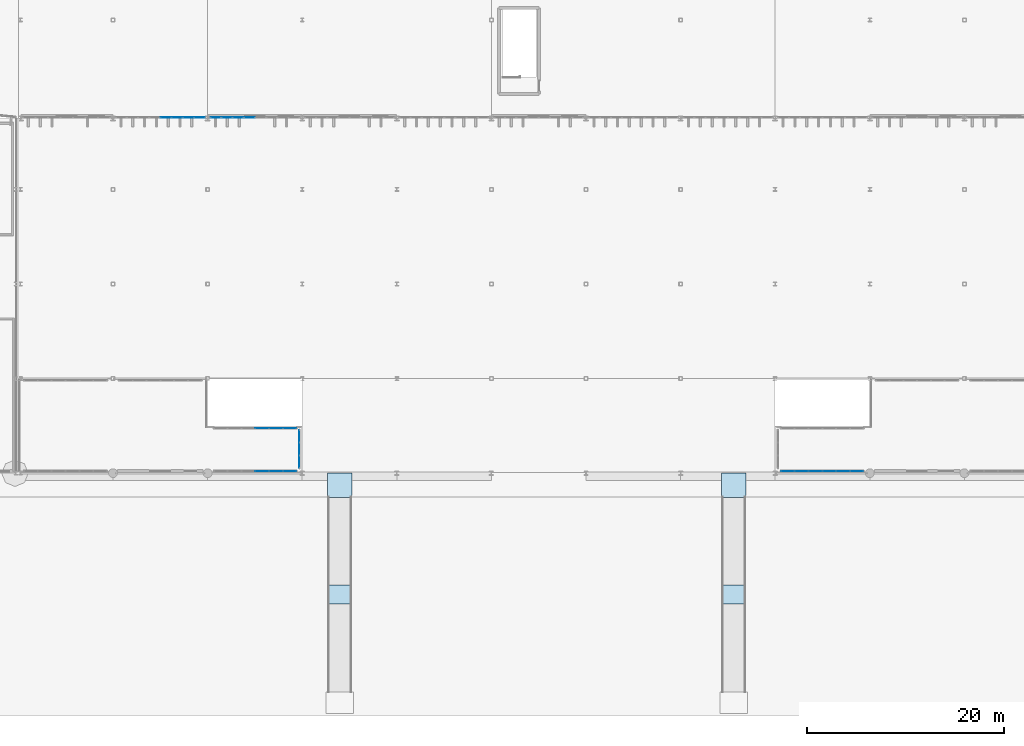
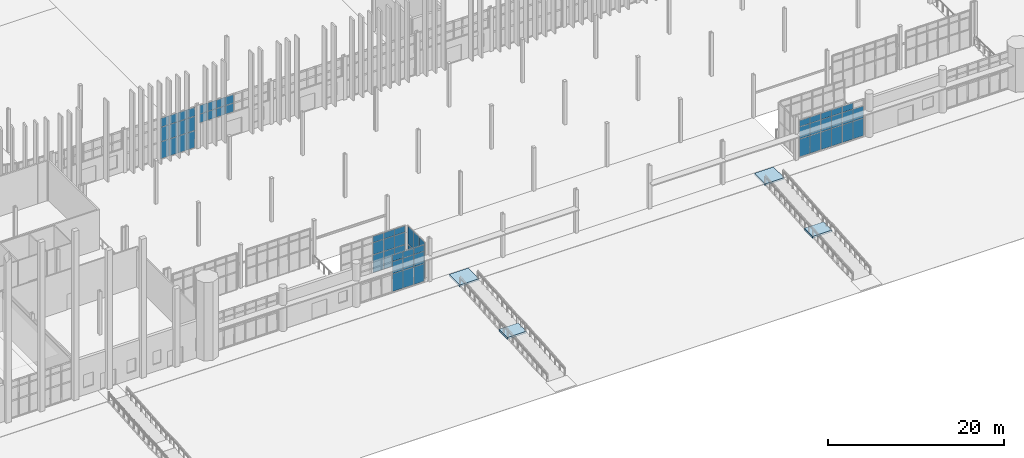
# One storey, part 71 of 139: 61 plates, 4 slabs, 8 elements without a shape of their own.
"""IFC4 building model written with IfcOpenShell, lengths in metres."""

from ifc_helpers import new_model, si_unit, direction, frame, origin, origin_2d, place, context, subcontext, project, spatial, polyline, rectangle, outline, extrude, material, layer, layer_set, type_object, element, aggregate, save


model = new_model("IFC4")

# Units and contexts
model_context = context("Model", 3, precision=1e-05, world=origin(), true_north=direction((0.0, 1.0)))
body_context = subcontext(model_context, "Body", "Model", "MODEL_VIEW")
ifc_project = project(units=[si_unit("LENGTHUNIT", "METRE"), si_unit("AREAUNIT", "SQUARE_METRE"), si_unit("VOLUMEUNIT", "CUBIC_METRE"), si_unit("PLANEANGLEUNIT", "RADIAN"), si_unit("MASSUNIT", "GRAM", prefix="KILO")], contexts=[model_context])

# Site, building, storey
site_placement = place(None, origin())
site = spatial("IfcSite", under=ifc_project, at=site_placement, CompositionType="ELEMENT")
building_placement = place(site_placement, origin())
building = spatial("IfcBuilding", under=site, at=building_placement, Name="Yeouljin Market Hall", CompositionType="ELEMENT")
storey_placement = place(building_placement, origin())
storey = spatial("IfcBuildingStorey", under=building, at=storey_placement, Name="L00", CompositionType="ELEMENT", Elevation=0.0)

# Curtain wall, plates
ifc_material_1 = material(Name="Thermally Broken Aluminium", Category="aluminium")
ifc_layer_1 = layer(ifc_material_1, 0.179931640625)
ifc_layer_set_1 = layer_set([ifc_layer_1], Name="Thermally Broken Aluminium")
curtain_wall_type_1 = type_object("IfcCurtainWallType", Name="CW_HallNave_System", PredefinedType="USERDEFINED", material=ifc_layer_set_1)
curtain_wall_1_placement = place(storey_placement, origin())
curtain_wall_1 = element("IfcCurtainWall", 1, at=curtain_wall_1_placement, inside=storey, type_object=curtain_wall_type_1, Name="Curtain wall CW-V1S-L00-03", ObjectType="CURTAIN WALL", PredefinedType="USERDEFINED")
ifc_material_2 = material(Name="Low-E Insulated Glass", Category="glass")
ifc_layer_2 = layer(ifc_material_2, 0.028076171875)
ifc_layer_set_2 = layer_set([ifc_layer_2], Name="Low-E Insulated Glass")
plate_type_1 = type_object("IfcPlateType", Name="CWPanel_LowE_28", PredefinedType="CURTAIN_PANEL", material=ifc_layer_set_2)
plate_1_placement = place(storey_placement, frame((58.831298828125, 36.10009765625, 3.248046875), z_axis=(0.0, 0.0, 1.0), x_axis=(-1.0, 0.0, 0.0)))
plate_1 = element("IfcPlate", 2, at=plate_1_placement, type_object=plate_type_1, Name="CW-01 panel 5.1", PredefinedType="CURTAIN_PANEL", context=body_context, shape_type="SweptSolid", body=[
    extrude(rectangle(XDim=1.089599609375, YDim=0.028076171875, at=origin_2d()), origin(), (0.0, 0.0, 1.0), 1.177978515625),
])
plate_2_placement = place(storey_placement, frame((58.831298828125, 36.10009765625, 4.47412109375), z_axis=(0.0, 0.0, 1.0), x_axis=(-1.0, 0.0, 0.0)))
plate_2 = element("IfcPlate", 3, at=plate_2_placement, type_object=plate_type_1, Name="CW-01 panel 5.2", PredefinedType="CURTAIN_PANEL", context=body_context, shape_type="SweptSolid", body=[
    extrude(rectangle(XDim=1.089599609375, YDim=0.028076171875, at=origin_2d()), origin(), (0.0, 0.0, 1.0), 1.157958984375),
])
plate_3_placement = place(storey_placement, frame((57.69384765625, 36.10009765625, 3.248046875), z_axis=(0.0, 0.0, 1.0), x_axis=(-1.0, 0.0, 0.0)))
plate_3 = element("IfcPlate", 4, at=plate_3_placement, type_object=plate_type_1, Name="CW-01 panel 6.1", PredefinedType="CURTAIN_PANEL", context=body_context, shape_type="SweptSolid", body=[
    extrude(rectangle(XDim=1.089599609375, YDim=0.028076171875, at=origin_2d()), origin(), (0.0, 0.0, 1.0), 1.177978515625),
])
plate_4_placement = place(storey_placement, frame((57.69384765625, 36.10009765625, 4.47412109375), z_axis=(0.0, 0.0, 1.0), x_axis=(-1.0, 0.0, 0.0)))
plate_4 = element("IfcPlate", 5, at=plate_4_placement, type_object=plate_type_1, Name="CW-01 panel 6.2", PredefinedType="CURTAIN_PANEL", context=body_context, shape_type="SweptSolid", body=[
    extrude(rectangle(XDim=1.089599609375, YDim=0.028076171875, at=origin_2d()), origin(), (0.0, 0.0, 1.0), 1.157958984375),
])
plate_5_placement = place(storey_placement, frame((56.55615234375, 36.10009765625, 3.248046875), z_axis=(0.0, 0.0, 1.0), x_axis=(-1.0, 0.0, 0.0)))
plate_5 = element("IfcPlate", 6, at=plate_5_placement, type_object=plate_type_1, Name="CW-01 panel 7.1", PredefinedType="CURTAIN_PANEL", context=body_context, shape_type="SweptSolid", body=[
    extrude(rectangle(XDim=1.089599609375, YDim=0.028076171875, at=origin_2d()), origin(), (0.0, 0.0, 1.0), 1.177978515625),
])
plate_6_placement = place(storey_placement, frame((56.55615234375, 36.10009765625, 4.47412109375), z_axis=(0.0, 0.0, 1.0), x_axis=(-1.0, 0.0, 0.0)))
plate_6 = element("IfcPlate", 7, at=plate_6_placement, type_object=plate_type_1, Name="CW-01 panel 7.2", PredefinedType="CURTAIN_PANEL", context=body_context, shape_type="SweptSolid", body=[
    extrude(rectangle(XDim=1.089599609375, YDim=0.028076171875, at=origin_2d()), origin(), (0.0, 0.0, 1.0), 1.157958984375),
])
plate_7_placement = place(storey_placement, frame((55.4306640625, 36.10009765625, 3.248046875), z_axis=(0.0, 0.0, 1.0), x_axis=(-1.0, 0.0, 0.0)))
plate_7 = element("IfcPlate", 8, at=plate_7_placement, type_object=plate_type_1, Name="CW-01 panel 8.1", PredefinedType="CURTAIN_PANEL", context=body_context, shape_type="SweptSolid", body=[
    extrude(rectangle(XDim=1.0654296875, YDim=0.028076171875, at=origin_2d()), origin(), (0.0, 0.0, 1.0), 1.177978515625),
])
plate_8_placement = place(storey_placement, frame((55.4306640625, 36.10009765625, 4.47412109375), z_axis=(0.0, 0.0, 1.0), x_axis=(-1.0, 0.0, 0.0)))
plate_8 = element("IfcPlate", 9, at=plate_8_placement, type_object=plate_type_1, Name="CW-01 panel 8.2", PredefinedType="CURTAIN_PANEL", context=body_context, shape_type="SweptSolid", body=[
    extrude(rectangle(XDim=1.0654296875, YDim=0.028076171875, at=origin_2d()), origin(), (0.0, 0.0, 1.0), 1.157958984375),
])
aggregate(curtain_wall_1, [plate_1, plate_2, plate_3, plate_4, plate_5, plate_6, plate_7, plate_8])

ifc_material_3 = material(Name="Thermally Broken Aluminium", Category="aluminium")
ifc_layer_3 = layer(ifc_material_3, 0.14990234375)
ifc_layer_set_3 = layer_set([ifc_layer_3], Name="Thermally Broken Aluminium")
curtain_wall_type_2 = type_object("IfcCurtainWallType", Name="CW_ColonnadeScreen_System", PredefinedType="USERDEFINED", material=ifc_layer_set_3)
curtain_wall_2_placement = place(storey_placement, origin())
curtain_wall_2 = element("IfcCurtainWall", 10, at=curtain_wall_2_placement, inside=storey, type_object=curtain_wall_type_2, Name="Curtain wall CW-V5S-L00-3", ObjectType="CURTAIN WALL", PredefinedType="USERDEFINED")
plate_9_placement = place(storey_placement, frame((62.933837890625, 0.199951171875, 0.0478515625), z_axis=(0.0, 0.0, 1.0), x_axis=(-1.0, 0.0, 0.0)))
plate_9 = element("IfcPlate", 11, at=plate_9_placement, type_object=plate_type_1, Name="CW-06 panel 1.1", PredefinedType="CURTAIN_PANEL", context=body_context, shape_type="SweptSolid", body=[
    extrude(rectangle(XDim=1.33642578125, YDim=0.028076171875, at=origin_2d()), origin(), (0.0, 0.0, 1.0), 2.427978515625),
])
plate_10_placement = place(storey_placement, frame((62.933837890625, 0.199951171875, 2.52392578125), z_axis=(0.0, 0.0, 1.0), x_axis=(-1.0, 0.0, 0.0)))
plate_10 = element("IfcPlate", 12, at=plate_10_placement, type_object=plate_type_1, Name="CW-06 panel 1.2", PredefinedType="CURTAIN_PANEL", context=body_context, shape_type="SweptSolid", body=[
    extrude(rectangle(XDim=1.33642578125, YDim=0.028076171875, at=origin_2d()), origin(), (0.0, 0.0, 1.0), 1.652099609375),
])
plate_11_placement = place(storey_placement, frame((62.933837890625, 0.199951171875, 4.22412109375), z_axis=(0.0, 0.0, 1.0), x_axis=(-1.0, 0.0, 0.0)))
plate_11 = element("IfcPlate", 13, at=plate_11_placement, type_object=plate_type_1, Name="CW-06 panel 1.3", PredefinedType="CURTAIN_PANEL", context=body_context, shape_type="SweptSolid", body=[
    extrude(rectangle(XDim=1.33642578125, YDim=0.028076171875, at=origin_2d()), origin(), (0.0, 0.0, 1.0), 0.847900390625),
])
plate_12_placement = place(storey_placement, frame((61.53759765625, 0.199951171875, 0.0478515625), z_axis=(0.0, 0.0, 1.0), x_axis=(-1.0, 0.0, 0.0)))
plate_12 = element("IfcPlate", 14, at=plate_12_placement, type_object=plate_type_1, Name="CW-06 panel 2.1", PredefinedType="CURTAIN_PANEL", context=body_context, shape_type="SweptSolid", body=[
    extrude(rectangle(XDim=1.3603515625, YDim=0.028076171875, at=origin_2d()), origin(), (0.0, 0.0, 1.0), 2.427978515625),
])
plate_13_placement = place(storey_placement, frame((61.53759765625, 0.199951171875, 2.52392578125), z_axis=(0.0, 0.0, 1.0), x_axis=(-1.0, 0.0, 0.0)))
plate_13 = element("IfcPlate", 15, at=plate_13_placement, type_object=plate_type_1, Name="CW-06 panel 2.2", PredefinedType="CURTAIN_PANEL", context=body_context, shape_type="SweptSolid", body=[
    extrude(rectangle(XDim=1.3603515625, YDim=0.028076171875, at=origin_2d()), origin(), (0.0, 0.0, 1.0), 1.652099609375),
])
plate_14_placement = place(storey_placement, frame((61.53759765625, 0.199951171875, 4.22412109375), z_axis=(0.0, 0.0, 1.0), x_axis=(-1.0, 0.0, 0.0)))
plate_14 = element("IfcPlate", 16, at=plate_14_placement, type_object=plate_type_1, Name="CW-06 panel 2.3", PredefinedType="CURTAIN_PANEL", context=body_context, shape_type="SweptSolid", body=[
    extrude(rectangle(XDim=1.3603515625, YDim=0.028076171875, at=origin_2d()), origin(), (0.0, 0.0, 1.0), 0.847900390625),
])
plate_15_placement = place(storey_placement, frame((60.129150390625, 0.199951171875, 0.0478515625), z_axis=(0.0, 0.0, 1.0), x_axis=(-1.0, 0.0, 0.0)))
plate_15 = element("IfcPlate", 17, at=plate_15_placement, type_object=plate_type_1, Name="CW-06 panel 3.1", PredefinedType="CURTAIN_PANEL", context=body_context, shape_type="SweptSolid", body=[
    extrude(rectangle(XDim=1.3603515625, YDim=0.028076171875, at=origin_2d()), origin(), (0.0, 0.0, 1.0), 2.427978515625),
])
plate_16_placement = place(storey_placement, frame((60.129150390625, 0.199951171875, 2.52392578125), z_axis=(0.0, 0.0, 1.0), x_axis=(-1.0, 0.0, 0.0)))
plate_16 = element("IfcPlate", 18, at=plate_16_placement, type_object=plate_type_1, Name="CW-06 panel 3.2", PredefinedType="CURTAIN_PANEL", context=body_context, shape_type="SweptSolid", body=[
    extrude(rectangle(XDim=1.3603515625, YDim=0.028076171875, at=origin_2d()), origin(), (0.0, 0.0, 1.0), 1.652099609375),
])
plate_17_placement = place(storey_placement, frame((60.129150390625, 0.199951171875, 4.22412109375), z_axis=(0.0, 0.0, 1.0), x_axis=(-1.0, 0.0, 0.0)))
plate_17 = element("IfcPlate", 19, at=plate_17_placement, type_object=plate_type_1, Name="CW-06 panel 3.3", PredefinedType="CURTAIN_PANEL", context=body_context, shape_type="SweptSolid", body=[
    extrude(rectangle(XDim=1.3603515625, YDim=0.028076171875, at=origin_2d()), origin(), (0.0, 0.0, 1.0), 0.847900390625),
])
aggregate(curtain_wall_2, [plate_9, plate_10, plate_11, plate_12, plate_13, plate_14, plate_15, plate_16, plate_17])

curtain_wall_3_placement = place(storey_placement, origin())
curtain_wall_3 = element("IfcCurtainWall", 20, at=curtain_wall_3_placement, inside=storey, type_object=curtain_wall_type_2, Name="Curtain wall CW-V5N-L00-3", ObjectType="CURTAIN WALL", PredefinedType="USERDEFINED")
plate_18_placement = place(storey_placement, frame((60.129150390625, 4.550048828125, 0.0478515625), z_axis=(0.0, 0.0, 1.0), x_axis=(1.0, 0.0, 0.0)))
plate_18 = element("IfcPlate", 21, at=plate_18_placement, type_object=plate_type_1, Name="CW-06 panel 4.1", PredefinedType="CURTAIN_PANEL", context=body_context, shape_type="SweptSolid", body=[
    extrude(rectangle(XDim=1.3603515625, YDim=0.028076171875, at=origin_2d()), origin(), (0.0, 0.0, 1.0), 2.427978515625),
])
plate_19_placement = place(storey_placement, frame((60.129150390625, 4.550048828125, 2.52392578125), z_axis=(0.0, 0.0, 1.0), x_axis=(1.0, 0.0, 0.0)))
plate_19 = element("IfcPlate", 22, at=plate_19_placement, type_object=plate_type_1, Name="CW-06 panel 4.2", PredefinedType="CURTAIN_PANEL", context=body_context, shape_type="SweptSolid", body=[
    extrude(rectangle(XDim=1.3603515625, YDim=0.028076171875, at=origin_2d()), origin(), (0.0, 0.0, 1.0), 1.652099609375),
])
plate_20_placement = place(storey_placement, frame((60.129150390625, 4.550048828125, 4.22412109375), z_axis=(0.0, 0.0, 1.0), x_axis=(1.0, 0.0, 0.0)))
plate_20 = element("IfcPlate", 23, at=plate_20_placement, type_object=plate_type_1, Name="CW-06 panel 4.3", PredefinedType="CURTAIN_PANEL", context=body_context, shape_type="SweptSolid", body=[
    extrude(rectangle(XDim=1.3603515625, YDim=0.028076171875, at=origin_2d()), origin(), (0.0, 0.0, 1.0), 0.847900390625),
])
plate_21_placement = place(storey_placement, frame((61.53759765625, 4.550048828125, 0.0478515625), z_axis=(0.0, 0.0, 1.0), x_axis=(1.0, 0.0, 0.0)))
plate_21 = element("IfcPlate", 24, at=plate_21_placement, type_object=plate_type_1, Name="CW-06 panel 5.1", PredefinedType="CURTAIN_PANEL", context=body_context, shape_type="SweptSolid", body=[
    extrude(rectangle(XDim=1.3603515625, YDim=0.028076171875, at=origin_2d()), origin(), (0.0, 0.0, 1.0), 2.427978515625),
])
plate_22_placement = place(storey_placement, frame((61.53759765625, 4.550048828125, 2.52392578125), z_axis=(0.0, 0.0, 1.0), x_axis=(1.0, 0.0, 0.0)))
plate_22 = element("IfcPlate", 25, at=plate_22_placement, type_object=plate_type_1, Name="CW-06 panel 5.2", PredefinedType="CURTAIN_PANEL", context=body_context, shape_type="SweptSolid", body=[
    extrude(rectangle(XDim=1.3603515625, YDim=0.028076171875, at=origin_2d()), origin(), (0.0, 0.0, 1.0), 1.652099609375),
])
plate_23_placement = place(storey_placement, frame((61.53759765625, 4.550048828125, 4.22412109375), z_axis=(0.0, 0.0, 1.0), x_axis=(1.0, 0.0, 0.0)))
plate_23 = element("IfcPlate", 26, at=plate_23_placement, type_object=plate_type_1, Name="CW-06 panel 5.3", PredefinedType="CURTAIN_PANEL", context=body_context, shape_type="SweptSolid", body=[
    extrude(rectangle(XDim=1.3603515625, YDim=0.028076171875, at=origin_2d()), origin(), (0.0, 0.0, 1.0), 0.847900390625),
])
plate_24_placement = place(storey_placement, frame((62.933837890625, 4.550048828125, 0.0478515625), z_axis=(0.0, 0.0, 1.0), x_axis=(1.0, 0.0, 0.0)))
plate_24 = element("IfcPlate", 27, at=plate_24_placement, type_object=plate_type_1, Name="CW-06 panel 6.1", PredefinedType="CURTAIN_PANEL", context=body_context, shape_type="SweptSolid", body=[
    extrude(rectangle(XDim=1.33642578125, YDim=0.028076171875, at=origin_2d()), origin(), (0.0, 0.0, 1.0), 2.427978515625),
])
plate_25_placement = place(storey_placement, frame((62.933837890625, 4.550048828125, 2.52392578125), z_axis=(0.0, 0.0, 1.0), x_axis=(1.0, 0.0, 0.0)))
plate_25 = element("IfcPlate", 28, at=plate_25_placement, type_object=plate_type_1, Name="CW-06 panel 6.2", PredefinedType="CURTAIN_PANEL", context=body_context, shape_type="SweptSolid", body=[
    extrude(rectangle(XDim=1.33642578125, YDim=0.028076171875, at=origin_2d()), origin(), (0.0, 0.0, 1.0), 1.652099609375),
])
plate_26_placement = place(storey_placement, frame((62.933837890625, 4.550048828125, 4.22412109375), z_axis=(0.0, 0.0, 1.0), x_axis=(1.0, 0.0, 0.0)))
plate_26 = element("IfcPlate", 29, at=plate_26_placement, type_object=plate_type_1, Name="CW-06 panel 6.3", PredefinedType="CURTAIN_PANEL", context=body_context, shape_type="SweptSolid", body=[
    extrude(rectangle(XDim=1.33642578125, YDim=0.028076171875, at=origin_2d()), origin(), (0.0, 0.0, 1.0), 0.847900390625),
])
aggregate(curtain_wall_3, [plate_18, plate_19, plate_20, plate_21, plate_22, plate_23, plate_24, plate_25, plate_26])

curtain_wall_4_placement = place(storey_placement, origin())
curtain_wall_4 = element("IfcCurtainWall", 30, at=curtain_wall_4_placement, inside=storey, type_object=curtain_wall_type_2, Name="Curtain wall CW-V5S-L00-4", ObjectType="CURTAIN WALL", PredefinedType="USERDEFINED")
plate_27_placement = place(storey_placement, frame((120.48388671875, 0.199951171875, 0.0478515625), z_axis=(0.0, 0.0, 1.0), x_axis=(-1.0, 0.0, 0.0)))
plate_27 = element("IfcPlate", 31, at=plate_27_placement, type_object=plate_type_1, Name="CW-06 panel 1.1", PredefinedType="CURTAIN_PANEL", context=body_context, shape_type="SweptSolid", body=[
    extrude(rectangle(XDim=1.33642578125, YDim=0.028076171875, at=origin_2d()), origin(), (0.0, 0.0, 1.0), 2.427978515625),
])
plate_28_placement = place(storey_placement, frame((120.48388671875, 0.199951171875, 2.52392578125), z_axis=(0.0, 0.0, 1.0), x_axis=(-1.0, 0.0, 0.0)))
plate_28 = element("IfcPlate", 32, at=plate_28_placement, type_object=plate_type_1, Name="CW-06 panel 1.2", PredefinedType="CURTAIN_PANEL", context=body_context, shape_type="SweptSolid", body=[
    extrude(rectangle(XDim=1.33642578125, YDim=0.028076171875, at=origin_2d()), origin(), (0.0, 0.0, 1.0), 1.652099609375),
])
plate_29_placement = place(storey_placement, frame((119.08740234375, 0.199951171875, 0.0478515625), z_axis=(0.0, 0.0, 1.0), x_axis=(-1.0, 0.0, 0.0)))
plate_29 = element("IfcPlate", 33, at=plate_29_placement, type_object=plate_type_1, Name="CW-06 panel 2.1", PredefinedType="CURTAIN_PANEL", context=body_context, shape_type="SweptSolid", body=[
    extrude(rectangle(XDim=1.3603515625, YDim=0.028076171875, at=origin_2d()), origin(), (0.0, 0.0, 1.0), 2.427978515625),
])
plate_30_placement = place(storey_placement, frame((119.08740234375, 0.199951171875, 2.52392578125), z_axis=(0.0, 0.0, 1.0), x_axis=(-1.0, 0.0, 0.0)))
plate_30 = element("IfcPlate", 34, at=plate_30_placement, type_object=plate_type_1, Name="CW-06 panel 2.2", PredefinedType="CURTAIN_PANEL", context=body_context, shape_type="SweptSolid", body=[
    extrude(rectangle(XDim=1.3603515625, YDim=0.028076171875, at=origin_2d()), origin(), (0.0, 0.0, 1.0), 1.652099609375),
])
plate_31_placement = place(storey_placement, frame((119.08740234375, 0.199951171875, 4.22412109375), z_axis=(0.0, 0.0, 1.0), x_axis=(-1.0, 0.0, 0.0)))
plate_31 = element("IfcPlate", 35, at=plate_31_placement, type_object=plate_type_1, Name="CW-06 panel 2.3", PredefinedType="CURTAIN_PANEL", context=body_context, shape_type="SweptSolid", body=[
    extrude(rectangle(XDim=1.3603515625, YDim=0.028076171875, at=origin_2d()), origin(), (0.0, 0.0, 1.0), 0.847900390625),
])
plate_32_placement = place(storey_placement, frame((117.67919921875, 0.199951171875, 0.0478515625), z_axis=(0.0, 0.0, 1.0), x_axis=(-1.0, 0.0, 0.0)))
plate_32 = element("IfcPlate", 36, at=plate_32_placement, type_object=plate_type_1, Name="CW-06 panel 3.1", PredefinedType="CURTAIN_PANEL", context=body_context, shape_type="SweptSolid", body=[
    extrude(rectangle(XDim=1.3603515625, YDim=0.028076171875, at=origin_2d()), origin(), (0.0, 0.0, 1.0), 2.427978515625),
])
plate_33_placement = place(storey_placement, frame((117.67919921875, 0.199951171875, 2.52392578125), z_axis=(0.0, 0.0, 1.0), x_axis=(-1.0, 0.0, 0.0)))
plate_33 = element("IfcPlate", 37, at=plate_33_placement, type_object=plate_type_1, Name="CW-06 panel 3.2", PredefinedType="CURTAIN_PANEL", context=body_context, shape_type="SweptSolid", body=[
    extrude(rectangle(XDim=1.3603515625, YDim=0.028076171875, at=origin_2d()), origin(), (0.0, 0.0, 1.0), 1.652099609375),
])
plate_34_placement = place(storey_placement, frame((117.67919921875, 0.199951171875, 4.22412109375), z_axis=(0.0, 0.0, 1.0), x_axis=(-1.0, 0.0, 0.0)))
plate_34 = element("IfcPlate", 38, at=plate_34_placement, type_object=plate_type_1, Name="CW-06 panel 3.3", PredefinedType="CURTAIN_PANEL", context=body_context, shape_type="SweptSolid", body=[
    extrude(rectangle(XDim=1.3603515625, YDim=0.028076171875, at=origin_2d()), origin(), (0.0, 0.0, 1.0), 0.847900390625),
])
plate_35_placement = place(storey_placement, frame((116.270751953125, 0.199951171875, 0.0478515625), z_axis=(0.0, 0.0, 1.0), x_axis=(-1.0, 0.0, 0.0)))
plate_35 = element("IfcPlate", 39, at=plate_35_placement, type_object=plate_type_1, Name="CW-06 panel 4.1", PredefinedType="CURTAIN_PANEL", context=body_context, shape_type="SweptSolid", body=[
    extrude(rectangle(XDim=1.3603515625, YDim=0.028076171875, at=origin_2d()), origin(), (0.0, 0.0, 1.0), 2.427978515625),
])
plate_36_placement = place(storey_placement, frame((116.270751953125, 0.199951171875, 2.52392578125), z_axis=(0.0, 0.0, 1.0), x_axis=(-1.0, 0.0, 0.0)))
plate_36 = element("IfcPlate", 40, at=plate_36_placement, type_object=plate_type_1, Name="CW-06 panel 4.2", PredefinedType="CURTAIN_PANEL", context=body_context, shape_type="SweptSolid", body=[
    extrude(rectangle(XDim=1.3603515625, YDim=0.028076171875, at=origin_2d()), origin(), (0.0, 0.0, 1.0), 1.652099609375),
])
plate_37_placement = place(storey_placement, frame((116.270751953125, 0.199951171875, 4.22412109375), z_axis=(0.0, 0.0, 1.0), x_axis=(-1.0, 0.0, 0.0)))
plate_37 = element("IfcPlate", 41, at=plate_37_placement, type_object=plate_type_1, Name="CW-06 panel 4.3", PredefinedType="CURTAIN_PANEL", context=body_context, shape_type="SweptSolid", body=[
    extrude(rectangle(XDim=1.3603515625, YDim=0.028076171875, at=origin_2d()), origin(), (0.0, 0.0, 1.0), 0.847900390625),
])
plate_38_placement = place(storey_placement, frame((114.862548828125, 0.199951171875, 0.0478515625), z_axis=(0.0, 0.0, 1.0), x_axis=(-1.0, 0.0, 0.0)))
plate_38 = element("IfcPlate", 42, at=plate_38_placement, type_object=plate_type_1, Name="CW-06 panel 5.1", PredefinedType="CURTAIN_PANEL", context=body_context, shape_type="SweptSolid", body=[
    extrude(rectangle(XDim=1.3603515625, YDim=0.028076171875, at=origin_2d()), origin(), (0.0, 0.0, 1.0), 2.427978515625),
])
plate_39_placement = place(storey_placement, frame((114.862548828125, 0.199951171875, 2.52392578125), z_axis=(0.0, 0.0, 1.0), x_axis=(-1.0, 0.0, 0.0)))
plate_39 = element("IfcPlate", 43, at=plate_39_placement, type_object=plate_type_1, Name="CW-06 panel 5.2", PredefinedType="CURTAIN_PANEL", context=body_context, shape_type="SweptSolid", body=[
    extrude(rectangle(XDim=1.3603515625, YDim=0.028076171875, at=origin_2d()), origin(), (0.0, 0.0, 1.0), 1.652099609375),
])
plate_40_placement = place(storey_placement, frame((114.862548828125, 0.199951171875, 4.22412109375), z_axis=(0.0, 0.0, 1.0), x_axis=(-1.0, 0.0, 0.0)))
plate_40 = element("IfcPlate", 44, at=plate_40_placement, type_object=plate_type_1, Name="CW-06 panel 5.3", PredefinedType="CURTAIN_PANEL", context=body_context, shape_type="SweptSolid", body=[
    extrude(rectangle(XDim=1.3603515625, YDim=0.028076171875, at=origin_2d()), origin(), (0.0, 0.0, 1.0), 0.847900390625),
])
plate_41_placement = place(storey_placement, frame((113.466064453125, 0.199951171875, 0.0478515625), z_axis=(0.0, 0.0, 1.0), x_axis=(-1.0, 0.0, 0.0)))
plate_41 = element("IfcPlate", 45, at=plate_41_placement, type_object=plate_type_1, Name="CW-06 panel 6.1", PredefinedType="CURTAIN_PANEL", context=body_context, shape_type="SweptSolid", body=[
    extrude(rectangle(XDim=1.33642578125, YDim=0.028076171875, at=origin_2d()), origin(), (0.0, 0.0, 1.0), 2.427978515625),
])
plate_42_placement = place(storey_placement, frame((113.466064453125, 0.199951171875, 2.52392578125), z_axis=(0.0, 0.0, 1.0), x_axis=(-1.0, 0.0, 0.0)))
plate_42 = element("IfcPlate", 46, at=plate_42_placement, type_object=plate_type_1, Name="CW-06 panel 6.2", PredefinedType="CURTAIN_PANEL", context=body_context, shape_type="SweptSolid", body=[
    extrude(rectangle(XDim=1.33642578125, YDim=0.028076171875, at=origin_2d()), origin(), (0.0, 0.0, 1.0), 1.652099609375),
])
plate_43_placement = place(storey_placement, frame((113.466064453125, 0.199951171875, 4.22412109375), z_axis=(0.0, 0.0, 1.0), x_axis=(-1.0, 0.0, 0.0)))
plate_43 = element("IfcPlate", 47, at=plate_43_placement, type_object=plate_type_1, Name="CW-06 panel 6.3", PredefinedType="CURTAIN_PANEL", context=body_context, shape_type="SweptSolid", body=[
    extrude(rectangle(XDim=1.33642578125, YDim=0.028076171875, at=origin_2d()), origin(), (0.0, 0.0, 1.0), 0.847900390625),
])
aggregate(curtain_wall_4, [plate_27, plate_28, plate_29, plate_30, plate_31, plate_32, plate_33, plate_34, plate_35, plate_36, plate_37, plate_38, plate_39, plate_40, plate_41, plate_42, plate_43])

ifc_material_4 = material(Name="Thermally Broken Aluminium", Category="aluminium")
ifc_layer_4 = layer(ifc_material_4, 0.14990234375)
ifc_layer_set_4 = layer_set([ifc_layer_4], Name="Thermally Broken Aluminium")
curtain_wall_type_3 = type_object("IfcCurtainWallType", Name="CW_WingStorefront_System", PredefinedType="USERDEFINED", material=ifc_layer_set_4)
curtain_wall_5_placement = place(storey_placement, origin())
curtain_wall_5 = element("IfcCurtainWall", 48, at=curtain_wall_5_placement, inside=storey, type_object=curtain_wall_type_3, Name="Curtain wall CW-CRT-L00-27", ObjectType="CURTAIN WALL", PredefinedType="USERDEFINED")
plate_44_placement = place(storey_placement, frame((63.89990234375, 3.738037109375, 0.0478515625), z_axis=(0.0, 0.0, 1.0), x_axis=(0.0, -1.0, 0.0)))
plate_44 = element("IfcPlate", 49, at=plate_44_placement, type_object=plate_type_1, Name="CW-04 panel 1.1", PredefinedType="CURTAIN_PANEL", context=body_context, shape_type="SweptSolid", body=[
    extrude(rectangle(XDim=1.22802734375, YDim=0.028076171875, at=origin_2d()), origin(), (0.0, 0.0, 1.0), 2.488037109375),
])
plate_45_placement = place(storey_placement, frame((63.89990234375, 3.738037109375, 2.583984375), z_axis=(0.0, 0.0, 1.0), x_axis=(0.0, -1.0, 0.0)))
plate_45 = element("IfcPlate", 50, at=plate_45_placement, type_object=plate_type_1, Name="CW-04 panel 1.2", PredefinedType="CURTAIN_PANEL", context=body_context, shape_type="SweptSolid", body=[
    extrude(rectangle(XDim=1.22802734375, YDim=0.028076171875, at=origin_2d()), origin(), (0.0, 0.0, 1.0), 2.488037109375),
])
plate_46_placement = place(storey_placement, frame((63.89990234375, 2.449951171875, 0.0478515625), z_axis=(0.0, 0.0, 1.0), x_axis=(0.0, -1.0, 0.0)))
plate_46 = element("IfcPlate", 51, at=plate_46_placement, type_object=plate_type_1, Name="CW-04 panel 2.1", PredefinedType="CURTAIN_PANEL", context=body_context, shape_type="SweptSolid", body=[
    extrude(rectangle(XDim=1.251953125, YDim=0.028076171875, at=origin_2d()), origin(), (0.0, 0.0, 1.0), 2.488037109375),
])
plate_47_placement = place(storey_placement, frame((63.89990234375, 2.449951171875, 2.583984375), z_axis=(0.0, 0.0, 1.0), x_axis=(0.0, -1.0, 0.0)))
plate_47 = element("IfcPlate", 52, at=plate_47_placement, type_object=plate_type_1, Name="CW-04 panel 2.2", PredefinedType="CURTAIN_PANEL", context=body_context, shape_type="SweptSolid", body=[
    extrude(rectangle(XDim=1.251953125, YDim=0.028076171875, at=origin_2d()), origin(), (0.0, 0.0, 1.0), 2.488037109375),
])
plate_48_placement = place(storey_placement, frame((63.89990234375, 1.162109375, 0.0478515625), z_axis=(0.0, 0.0, 1.0), x_axis=(0.0, -1.0, 0.0)))
plate_48 = element("IfcPlate", 53, at=plate_48_placement, type_object=plate_type_1, Name="CW-04 panel 3.1", PredefinedType="CURTAIN_PANEL", context=body_context, shape_type="SweptSolid", body=[
    extrude(rectangle(XDim=1.22802734375, YDim=0.028076171875, at=origin_2d()), origin(), (0.0, 0.0, 1.0), 2.488037109375),
])
plate_49_placement = place(storey_placement, frame((63.89990234375, 1.162109375, 2.583984375), z_axis=(0.0, 0.0, 1.0), x_axis=(0.0, -1.0, 0.0)))
plate_49 = element("IfcPlate", 54, at=plate_49_placement, type_object=plate_type_1, Name="CW-04 panel 3.2", PredefinedType="CURTAIN_PANEL", context=body_context, shape_type="SweptSolid", body=[
    extrude(rectangle(XDim=1.22802734375, YDim=0.028076171875, at=origin_2d()), origin(), (0.0, 0.0, 1.0), 2.488037109375),
])
aggregate(curtain_wall_5, [plate_44, plate_45, plate_46, plate_47, plate_48, plate_49])

curtain_wall_6_placement = place(storey_placement, origin())
curtain_wall_6 = element("IfcCurtainWall", 55, at=curtain_wall_6_placement, inside=storey, type_object=curtain_wall_type_1, Name="Curtain wall CW-V1S-L00-02", ObjectType="CURTAIN WALL", PredefinedType="USERDEFINED")
ifc_material_5 = material(Name="Low-E Insulated Glass", Category="glass")
ifc_layer_5 = layer(ifc_material_5, 0.035888671875)
ifc_layer_set_5 = layer_set([ifc_layer_5], Name="Low-E Insulated Glass")
plate_type_2 = type_object("IfcPlateType", Name="CWPanel_TripleLowE_36", PredefinedType="CURTAIN_PANEL", material=ifc_layer_set_5)
plate_50_placement = place(storey_placement, frame((53.769287109375, 36.10009765625, 0.0478515625), z_axis=(0.0, 0.0, 1.0), x_axis=(-1.0, 0.0, 0.0)))
plate_50 = element("IfcPlate", 56, at=plate_50_placement, type_object=plate_type_2, Name="CW-01 panel 1.1", PredefinedType="CURTAIN_PANEL", context=body_context, shape_type="SweptSolid", body=[
    extrude(rectangle(XDim=1.0654296875, YDim=0.035888671875, at=origin_2d()), origin(), (0.0, 0.0, 1.0), 2.327880859375),
])
plate_51_placement = place(storey_placement, frame((53.769287109375, 36.10009765625, 2.423828125), z_axis=(0.0, 0.0, 1.0), x_axis=(-1.0, 0.0, 0.0)))
plate_51 = element("IfcPlate", 57, at=plate_51_placement, type_object=plate_type_2, Name="CW-01 panel 1.2", PredefinedType="CURTAIN_PANEL", context=body_context, shape_type="SweptSolid", body=[
    extrude(rectangle(XDim=1.0654296875, YDim=0.035888671875, at=origin_2d()), origin(), (0.0, 0.0, 1.0), 1.951904296875),
])
plate_52_placement = place(storey_placement, frame((53.769287109375, 36.10009765625, 4.424072265625), z_axis=(0.0, 0.0, 1.0), x_axis=(-1.0, 0.0, 0.0)))
plate_52 = element("IfcPlate", 58, at=plate_52_placement, type_object=plate_type_2, Name="CW-01 panel 1.3", PredefinedType="CURTAIN_PANEL", context=body_context, shape_type="SweptSolid", body=[
    extrude(rectangle(XDim=1.0654296875, YDim=0.035888671875, at=origin_2d()), origin(), (0.0, 0.0, 1.0), 1.2080078125),
])
plate_53_placement = place(storey_placement, frame((52.643798828125, 36.10009765625, 0.0478515625), z_axis=(0.0, 0.0, 1.0), x_axis=(-1.0, 0.0, 0.0)))
plate_53 = element("IfcPlate", 59, at=plate_53_placement, type_object=plate_type_2, Name="CW-01 panel 2.1", PredefinedType="CURTAIN_PANEL", context=body_context, shape_type="SweptSolid", body=[
    extrude(rectangle(XDim=1.089599609375, YDim=0.035888671875, at=origin_2d()), origin(), (0.0, 0.0, 1.0), 2.327880859375),
])
plate_54_placement = place(storey_placement, frame((52.643798828125, 36.10009765625, 2.423828125), z_axis=(0.0, 0.0, 1.0), x_axis=(-1.0, 0.0, 0.0)))
plate_54 = element("IfcPlate", 60, at=plate_54_placement, type_object=plate_type_2, Name="CW-01 panel 2.2", PredefinedType="CURTAIN_PANEL", context=body_context, shape_type="SweptSolid", body=[
    extrude(rectangle(XDim=1.089599609375, YDim=0.035888671875, at=origin_2d()), origin(), (0.0, 0.0, 1.0), 1.951904296875),
])
plate_55_placement = place(storey_placement, frame((52.643798828125, 36.10009765625, 4.424072265625), z_axis=(0.0, 0.0, 1.0), x_axis=(-1.0, 0.0, 0.0)))
plate_55 = element("IfcPlate", 61, at=plate_55_placement, type_object=plate_type_2, Name="CW-01 panel 2.3", PredefinedType="CURTAIN_PANEL", context=body_context, shape_type="SweptSolid", body=[
    extrude(rectangle(XDim=1.089599609375, YDim=0.035888671875, at=origin_2d()), origin(), (0.0, 0.0, 1.0), 1.2080078125),
])
plate_56_placement = place(storey_placement, frame((51.50634765625, 36.10009765625, 0.0478515625), z_axis=(0.0, 0.0, 1.0), x_axis=(-1.0, 0.0, 0.0)))
plate_56 = element("IfcPlate", 62, at=plate_56_placement, type_object=plate_type_2, Name="CW-01 panel 3.1", PredefinedType="CURTAIN_PANEL", context=body_context, shape_type="SweptSolid", body=[
    extrude(rectangle(XDim=1.089599609375, YDim=0.035888671875, at=origin_2d()), origin(), (0.0, 0.0, 1.0), 2.327880859375),
])
plate_57_placement = place(storey_placement, frame((51.50634765625, 36.10009765625, 2.423828125), z_axis=(0.0, 0.0, 1.0), x_axis=(-1.0, 0.0, 0.0)))
plate_57 = element("IfcPlate", 63, at=plate_57_placement, type_object=plate_type_2, Name="CW-01 panel 3.2", PredefinedType="CURTAIN_PANEL", context=body_context, shape_type="SweptSolid", body=[
    extrude(rectangle(XDim=1.089599609375, YDim=0.035888671875, at=origin_2d()), origin(), (0.0, 0.0, 1.0), 1.951904296875),
])
plate_58_placement = place(storey_placement, frame((51.50634765625, 36.10009765625, 4.424072265625), z_axis=(0.0, 0.0, 1.0), x_axis=(-1.0, 0.0, 0.0)))
plate_58 = element("IfcPlate", 64, at=plate_58_placement, type_object=plate_type_2, Name="CW-01 panel 3.3", PredefinedType="CURTAIN_PANEL", context=body_context, shape_type="SweptSolid", body=[
    extrude(rectangle(XDim=1.089599609375, YDim=0.035888671875, at=origin_2d()), origin(), (0.0, 0.0, 1.0), 1.2080078125),
])
plate_59_placement = place(storey_placement, frame((50.36865234375, 36.10009765625, 0.0478515625), z_axis=(0.0, 0.0, 1.0), x_axis=(-1.0, 0.0, 0.0)))
plate_59 = element("IfcPlate", 65, at=plate_59_placement, type_object=plate_type_2, Name="CW-01 panel 4.1", PredefinedType="CURTAIN_PANEL", context=body_context, shape_type="SweptSolid", body=[
    extrude(rectangle(XDim=1.089599609375, YDim=0.035888671875, at=origin_2d()), origin(), (0.0, 0.0, 1.0), 2.327880859375),
])
plate_60_placement = place(storey_placement, frame((50.36865234375, 36.10009765625, 2.423828125), z_axis=(0.0, 0.0, 1.0), x_axis=(-1.0, 0.0, 0.0)))
plate_60 = element("IfcPlate", 66, at=plate_60_placement, type_object=plate_type_2, Name="CW-01 panel 4.2", PredefinedType="CURTAIN_PANEL", context=body_context, shape_type="SweptSolid", body=[
    extrude(rectangle(XDim=1.089599609375, YDim=0.035888671875, at=origin_2d()), origin(), (0.0, 0.0, 1.0), 1.951904296875),
])
plate_61_placement = place(storey_placement, frame((50.36865234375, 36.10009765625, 4.424072265625), z_axis=(0.0, 0.0, 1.0), x_axis=(-1.0, 0.0, 0.0)))
plate_61 = element("IfcPlate", 67, at=plate_61_placement, type_object=plate_type_2, Name="CW-01 panel 4.3", PredefinedType="CURTAIN_PANEL", context=body_context, shape_type="SweptSolid", body=[
    extrude(rectangle(XDim=1.089599609375, YDim=0.035888671875, at=origin_2d()), origin(), (0.0, 0.0, 1.0), 1.2080078125),
])
aggregate(curtain_wall_6, [plate_50, plate_51, plate_52, plate_53, plate_54, plate_55, plate_56, plate_57, plate_58, plate_59, plate_60, plate_61])

# Ramp, slabs
ifc_material_6 = material(Name="Concrete C30/37", Category="concrete")
ramp_type = type_object("IfcRampType", Name="Ramp_Pedestrian_Granite", PredefinedType="STRAIGHT_RUN_RAMP", material=ifc_material_6)
ramp_1_placement = place(storey_placement, origin())
ramp_1 = element("IfcRamp", 68, at=ramp_1_placement, inside=storey, type_object=ramp_type, Name="Boulevard plinth accessible pedestrian ramp 02", PredefinedType="STRAIGHT_RUN_RAMP")
ifc_material_7 = material(Name="Concrete C30/37", Category="concrete")
ifc_layer_6 = layer(ifc_material_7, 0.239990234375)
ifc_layer_set_6 = layer_set([ifc_layer_6], Name="Concrete C30/37")
slab_type = type_object("IfcSlabType", Name="SLB_COL_240", PredefinedType="FLOOR", material=ifc_layer_set_6)
slab_1_placement = place(storey_placement, frame((0.0, 0.0, -0.239990234375)))
slab_1 = element("IfcSlab", 69, at=slab_1_placement, type_object=slab_type, Name="Plinth pedestrian ramp 02 top landing", PredefinedType="LANDING", context=body_context, shape_type="SweptSolid", body=[
    extrude(outline(polyline([(66.75, -2.449951171875), (69.25, -2.449951171875), (69.25, 0.0), (66.75, 0.0), (66.75, -2.449951171875)])), origin(), (0.0, 0.0, 1.0), 0.239990234375),
])
slab_2_placement = place(storey_placement, frame((0.0, 0.0, -0.969970703125)))
slab_2 = element("IfcSlab", 70, at=slab_2_placement, type_object=slab_type, Name="Plinth pedestrian ramp 02 rest landing", PredefinedType="LANDING", context=body_context, shape_type="SweptSolid", body=[
    extrude(outline(polyline([(66.75, -13.25), (69.25, -13.25), (69.25, -11.35009765625), (66.75, -11.35009765625), (66.75, -13.25)])), origin(), (0.0, 0.0, 1.0), 0.25),
])
aggregate(ramp_1, [slab_1, slab_2])

ramp_2_placement = place(storey_placement, origin())
ramp_2 = element("IfcRamp", 71, at=ramp_2_placement, inside=storey, type_object=ramp_type, Name="Boulevard plinth accessible pedestrian ramp 03", PredefinedType="STRAIGHT_RUN_RAMP")
slab_3_placement = place(storey_placement, frame((0.0, 0.0, -0.239990234375)))
slab_3 = element("IfcSlab", 72, at=slab_3_placement, type_object=slab_type, Name="Plinth pedestrian ramp 03 top landing", PredefinedType="LANDING", context=body_context, shape_type="SweptSolid", body=[
    extrude(outline(polyline([(106.75, -2.449951171875), (109.25, -2.449951171875), (109.25, 0.0), (106.75, 0.0), (106.75, -2.449951171875)])), origin(), (0.0, 0.0, 1.0), 0.239990234375),
])
slab_4_placement = place(storey_placement, frame((0.0, 0.0, -0.969970703125)))
slab_4 = element("IfcSlab", 73, at=slab_4_placement, type_object=slab_type, Name="Plinth pedestrian ramp 03 rest landing", PredefinedType="LANDING", context=body_context, shape_type="SweptSolid", body=[
    extrude(outline(polyline([(106.75, -13.25), (109.25, -13.25), (109.25, -11.35009765625), (106.75, -11.35009765625), (106.75, -13.25)])), origin(), (0.0, 0.0, 1.0), 0.25),
])
aggregate(ramp_2, [slab_3, slab_4])

save(model, "model.ifc")
